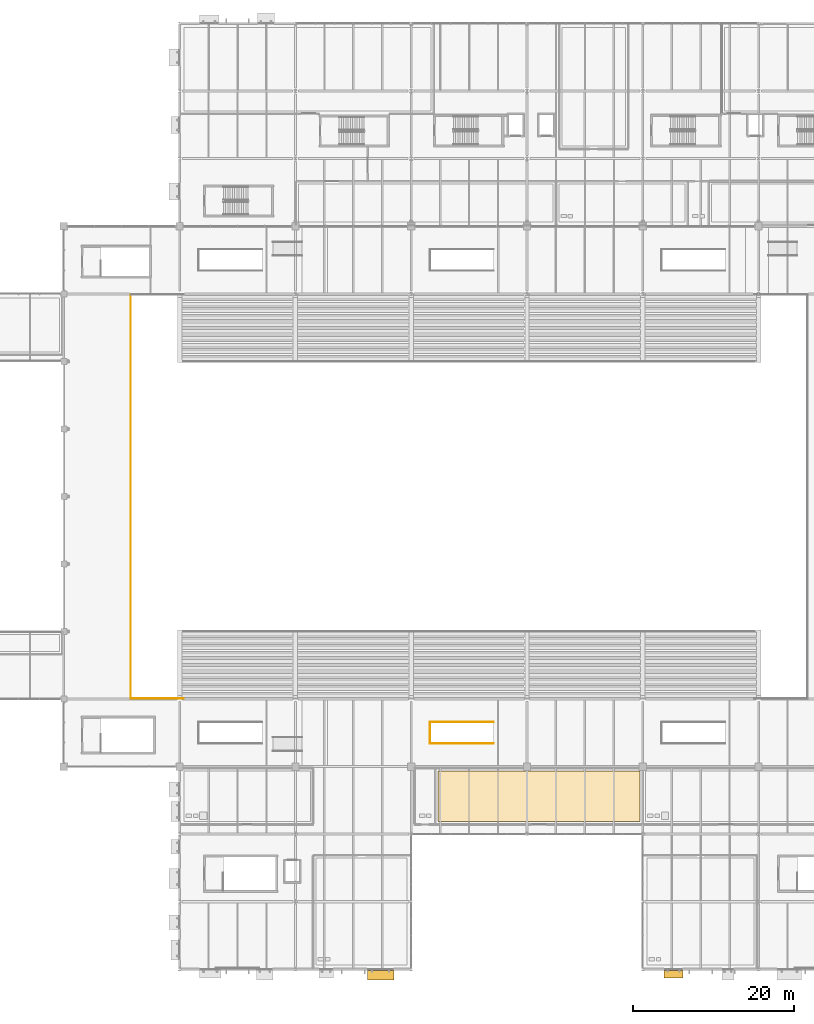
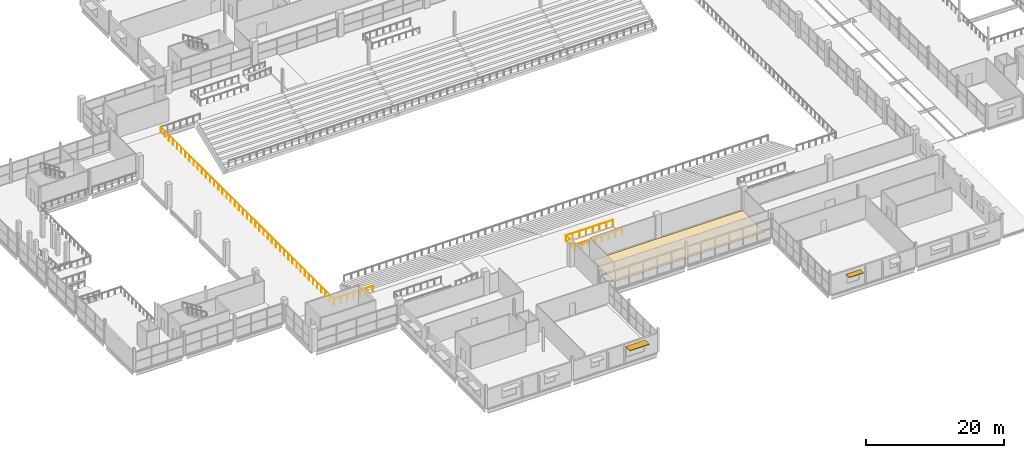
# One storey, part 150 of 161: 5 railings, 2 shading devices, 1 covering.
"""IFC4 building model written with IfcOpenShell, lengths in metres."""

from ifc_helpers import new_model, si_unit, direction, frame, origin, origin_2d, place, context, subcontext, project, spatial, polyline, rectangle, circle, outline, extrude, material, layer, layer_set, type_object, element, save


model = new_model("IFC4")

# Units and contexts
model_context = context("Model", 3, precision=1e-05, world=origin(), true_north=direction((0.0, 1.0)))
body_context = subcontext(model_context, "Body", "Model", "MODEL_VIEW")
ifc_project = project(units=[si_unit("LENGTHUNIT", "METRE"), si_unit("AREAUNIT", "SQUARE_METRE"), si_unit("VOLUMEUNIT", "CUBIC_METRE"), si_unit("PLANEANGLEUNIT", "RADIAN"), si_unit("MASSUNIT", "GRAM", prefix="KILO"), si_unit("THERMODYNAMICTEMPERATUREUNIT", "KELVIN")], contexts=[model_context])

# Site, building, storey
site_placement = place(None, origin())
site = spatial("IfcSite", under=ifc_project, at=site_placement, CompositionType="ELEMENT")
building_placement = place(site_placement, origin())
building = spatial("IfcBuilding", under=site, at=building_placement, Name="Nduvali Passage Aquatics Centre", CompositionType="ELEMENT")
storey_placement = place(building_placement, frame((0.0, 0.0, 4.800048828125)))
storey = spatial("IfcBuildingStorey", under=building, at=storey_placement, Name="L01", CompositionType="ELEMENT", Elevation=4.800048828125)

# Shading devices
ifc_material_1 = material(Name="Aluminium EN AW-6063 T6", Category="aluminium")
ifc_layer_1 = layer(ifc_material_1, 0.090087890625, Name="Aluminium EN AW-6063 T6")
ifc_layer_set_1 = layer_set([ifc_layer_1], Name="Aluminium EN AW-6063 T6")
shading_device_type_1 = type_object("IfcShadingDeviceType", Name="ENV-SHD-SUN1", PredefinedType="AWNING", material=ifc_layer_set_1)
shading_device_1_placement = place(storey_placement, frame((64.583984375, -0.72998046875, 2.7548828125), z_axis=(0.0, 0.0, 1.0), x_axis=(1.0, 0.0, 0.0)))
element("IfcShadingDevice", 1, at=shading_device_1_placement, inside=storey, type_object=shading_device_type_1, Name="L01 Horizontal Monsoon Sunshade 0029", PredefinedType="AWNING", context=body_context, shape_type="SweptSolid", body=[
    extrude(rectangle(XDim=3.300048828125, YDim=1.199951171875, at=origin_2d()), origin(), (0.0, 0.0, 1.0), 0.090087890625),
])
ifc_layer_2 = layer(ifc_material_1, 0.080078125, Name="Aluminium EN AW-6063 T6")
ifc_layer_set_2 = layer_set([ifc_layer_2], Name="Aluminium EN AW-6063 T6")
shading_device_type_2 = type_object("IfcShadingDeviceType", Name="ENV-SHD-SUN2", PredefinedType="AWNING", material=ifc_layer_set_2)
shading_device_2_placement = place(storey_placement, frame((101.01611328125, -0.60498046875, 2.659912109375), z_axis=(0.0, 0.0, 1.0), x_axis=(1.0, 0.0, 0.0)))
element("IfcShadingDevice", 2, at=shading_device_2_placement, inside=storey, type_object=shading_device_type_2, Name="L01 Horizontal Monsoon Sunshade 0032", PredefinedType="AWNING", context=body_context, shape_type="SweptSolid", body=[
    extrude(rectangle(XDim=2.39990234375, YDim=0.949951171875, at=origin_2d()), origin(), (0.0, 0.0, 1.0), 0.080078125),
])

# Covering
ifc_material_2 = material(Name="Polished coral-aggregate terrazzo")
ifc_layer_3 = layer(ifc_material_2, 0.030029296875, Name="Polished coral-aggregate terrazzo")
ifc_layer_set_3 = layer_set([ifc_layer_3], Name="Polished coral-aggregate terrazzo")
covering_type = type_object("IfcCoveringType", Name="INT-COV-TERRAZZO", PredefinedType="FLOORING", material=ifc_layer_set_3)
covering_placement = place(storey_placement, origin())
element("IfcCovering", 3, at=covering_placement, inside=storey, type_object=covering_type, Name="L01 Spectator Refreshment Kiosk and Pantry Floor Finish", PredefinedType="FLOORING", context=body_context, shape_type="SweptSolid", body=[
    extrude(outline(polyline([(71.75, 18.35009765625), (96.85009765625, 18.35009765625), (96.85009765625, 24.68994140625), (71.75, 24.68994140625), (71.75, 18.35009765625)])), origin(), (0.0, 0.0, 1.0), 0.030029296875),
])

# Railings
ifc_material_3 = material(Name="Stainless steel balustrade", Category="steel")
railing_type = type_object("IfcRailingType", Name="INT-RLG-GRD110", PredefinedType="GUARDRAIL", material=ifc_material_3)
railing_1_placement = place(storey_placement, frame((70.739990234375, 28.125, 0.0)))
element("IfcRailing", 4, at=railing_1_placement, inside=storey, type_object=railing_type, Name="L01 Vomitory VST2 Well West Guardrail", PredefinedType="GUARDRAIL", context=body_context, shape_type="SweptSolid", body=[
    extrude(circle(Radius=0.02392578125, at=origin_2d()), frame((0.0, 0.0, 1.076171875), z_axis=(0.0, 1.0, 0.0), x_axis=(-1.0, 0.0, 0.0)), (0.0, 0.0, 1.0), 2.550048828125),
    extrude(circle(Radius=0.02099609375, at=origin_2d()), origin(), (0.0, 0.0, 1.0), 1.052001953125),
    extrude(circle(Radius=0.02099609375, at=origin_2d()), frame((0.0, 0.85009765625, 0.0)), (0.0, 0.0, 1.0), 1.052001953125),
    extrude(circle(Radius=0.02099609375, at=origin_2d()), frame((0.0, 1.699951171875, 0.0)), (0.0, 0.0, 1.0), 1.052001953125),
    extrude(circle(Radius=0.02099609375, at=origin_2d()), frame((0.0, 2.550048828125, 0.0)), (0.0, 0.0, 1.0), 1.052001953125),
])
for number, where, name in (
    (5, (70.739990234375, 28.06494140625, 0.0), "L01 Vomitory VST2 Well S Guardrail"),
    (6, (70.739990234375, 30.735107421875, 0.0), "L01 Vomitory VST2 Well N Guardrail"),
):
    element("IfcRailing", number, at=place(storey_placement, frame(where)), inside=storey, type_object=railing_type, Name=name, PredefinedType="GUARDRAIL", context=body_context, shape_type="SweptSolid", body=[
        extrude(circle(Radius=0.02392578125, at=origin_2d()), frame((0.0, 0.0, 1.076171875), z_axis=(1.0, 0.0, 0.0), x_axis=(0.0, 1.0, 0.0)), (0.0, 0.0, 1.0), 7.889892578125),
        extrude(circle(Radius=0.02099609375, at=origin_2d()), origin(), (0.0, 0.0, 1.0), 1.052001953125),
        extrude(circle(Radius=0.02099609375, at=origin_2d()), frame((1.127197265625, 0.0, 0.0)), (0.0, 0.0, 1.0), 1.052001953125),
        extrude(circle(Radius=0.02099609375, at=origin_2d()), frame((2.254150390625, 0.0, 0.0)), (0.0, 0.0, 1.0), 1.052001953125),
        extrude(circle(Radius=0.02099609375, at=origin_2d()), frame((3.38134765625, 0.0, 0.0)), (0.0, 0.0, 1.0), 1.052001953125),
        extrude(circle(Radius=0.02099609375, at=origin_2d()), frame((4.508544921875, 0.0, 0.0)), (0.0, 0.0, 1.0), 1.052001953125),
        extrude(circle(Radius=0.02099609375, at=origin_2d()), frame((5.6357421875, 0.0, 0.0)), (0.0, 0.0, 1.0), 1.052001953125),
        extrude(circle(Radius=0.02099609375, at=origin_2d()), frame((6.7626953125, 0.0, 0.0)), (0.0, 0.0, 1.0), 1.052001953125),
        extrude(circle(Radius=0.02099609375, at=origin_2d()), frame((7.889892578125, 0.0, 0.0)), (0.0, 0.0, 1.0), 1.052001953125),
    ])
railing_2_placement = place(storey_placement, frame((33.60009765625, 33.679931640625, 0.0)))
element("IfcRailing", 7, at=railing_2_placement, inside=storey, type_object=railing_type, Name="L01 South Concourse West Void Guard", PredefinedType="GUARDRAIL", context=body_context, shape_type="SweptSolid", body=[
    extrude(circle(Radius=0.02392578125, at=origin_2d()), frame((0.0, 0.0, 1.076171875), z_axis=(1.0, 0.0, 0.0), x_axis=(0.0, 1.0, 0.0)), (0.0, 0.0, 1.0), 6.5),
    extrude(circle(Radius=0.02099609375, at=origin_2d()), origin(), (0.0, 0.0, 1.0), 1.052001953125),
    extrude(circle(Radius=0.02099609375, at=origin_2d()), frame((1.083251953125, 0.0, 0.0)), (0.0, 0.0, 1.0), 1.052001953125),
    extrude(circle(Radius=0.02099609375, at=origin_2d()), frame((2.166748046875, 0.0, 0.0)), (0.0, 0.0, 1.0), 1.052001953125),
    extrude(circle(Radius=0.02099609375, at=origin_2d()), frame((3.25, 0.0, 0.0)), (0.0, 0.0, 1.0), 1.052001953125),
    extrude(circle(Radius=0.02099609375, at=origin_2d()), frame((4.333251953125, 0.0, 0.0)), (0.0, 0.0, 1.0), 1.052001953125),
    extrude(circle(Radius=0.02099609375, at=origin_2d()), frame((5.416748046875, 0.0, 0.0)), (0.0, 0.0, 1.0), 1.052001953125),
    extrude(circle(Radius=0.02099609375, at=origin_2d()), frame((6.5, 0.0, 0.0)), (0.0, 0.0, 1.0), 1.052001953125),
])
railing_3_placement = place(storey_placement, frame((33.52001953125, 33.679931640625, 0.0)))
element("IfcRailing", 8, at=railing_3_placement, inside=storey, type_object=railing_type, Name="L01 West Pool Overlook Gallery Balustrade", PredefinedType="GUARDRAIL", context=body_context, shape_type="SweptSolid", body=[
    extrude(circle(Radius=0.02392578125, at=origin_2d()), frame((0.0, 0.0, 1.076171875), z_axis=(0.0, 1.0, 0.0), x_axis=(-1.0, 0.0, 0.0)), (0.0, 0.0, 1.0), 50.239990234375),
    extrude(circle(Radius=0.02099609375, at=origin_2d()), origin(), (0.0, 0.0, 1.0), 1.052001953125),
    extrude(circle(Radius=0.02099609375, at=origin_2d()), frame((0.0, 1.1962890625, 0.0)), (0.0, 0.0, 1.0), 1.052001953125),
    extrude(circle(Radius=0.02099609375, at=origin_2d()), frame((0.0, 2.392333984375, 0.0)), (0.0, 0.0, 1.0), 1.052001953125),
    extrude(circle(Radius=0.02099609375, at=origin_2d()), frame((0.0, 3.588623046875, 0.0)), (0.0, 0.0, 1.0), 1.052001953125),
    extrude(circle(Radius=0.02099609375, at=origin_2d()), frame((0.0, 4.78466796875, 0.0)), (0.0, 0.0, 1.0), 1.052001953125),
    extrude(circle(Radius=0.02099609375, at=origin_2d()), frame((0.0, 5.98095703125, 0.0)), (0.0, 0.0, 1.0), 1.052001953125),
    extrude(circle(Radius=0.02099609375, at=origin_2d()), frame((0.0, 7.17724609375, 0.0)), (0.0, 0.0, 1.0), 1.052001953125),
    extrude(circle(Radius=0.02099609375, at=origin_2d()), frame((0.0, 8.373291015625, 0.0)), (0.0, 0.0, 1.0), 1.052001953125),
    extrude(circle(Radius=0.02099609375, at=origin_2d()), frame((0.0, 9.569580078125, 0.0)), (0.0, 0.0, 1.0), 1.052001953125),
    extrude(circle(Radius=0.02099609375, at=origin_2d()), frame((0.0, 10.765625, 0.0)), (0.0, 0.0, 1.0), 1.052001953125),
    extrude(circle(Radius=0.02099609375, at=origin_2d()), frame((0.0, 11.9619140625, 0.0)), (0.0, 0.0, 1.0), 1.052001953125),
    extrude(circle(Radius=0.02099609375, at=origin_2d()), frame((0.0, 13.158203125, 0.0)), (0.0, 0.0, 1.0), 1.052001953125),
    extrude(circle(Radius=0.02099609375, at=origin_2d()), frame((0.0, 14.354248046875, 0.0)), (0.0, 0.0, 1.0), 1.052001953125),
    extrude(circle(Radius=0.02099609375, at=origin_2d()), frame((0.0, 15.550537109375, 0.0)), (0.0, 0.0, 1.0), 1.052001953125),
    extrude(circle(Radius=0.02099609375, at=origin_2d()), frame((0.0, 16.74658203125, 0.0)), (0.0, 0.0, 1.0), 1.052001953125),
    extrude(circle(Radius=0.02099609375, at=origin_2d()), frame((0.0, 17.94287109375, 0.0)), (0.0, 0.0, 1.0), 1.052001953125),
    extrude(circle(Radius=0.02099609375, at=origin_2d()), frame((0.0, 19.13916015625, 0.0)), (0.0, 0.0, 1.0), 1.052001953125),
    extrude(circle(Radius=0.02099609375, at=origin_2d()), frame((0.0, 20.335205078125, 0.0)), (0.0, 0.0, 1.0), 1.052001953125),
    extrude(circle(Radius=0.02099609375, at=origin_2d()), frame((0.0, 21.531494140625, 0.0)), (0.0, 0.0, 1.0), 1.052001953125),
    extrude(circle(Radius=0.02099609375, at=origin_2d()), frame((0.0, 22.7275390625, 0.0)), (0.0, 0.0, 1.0), 1.052001953125),
    extrude(circle(Radius=0.02099609375, at=origin_2d()), frame((0.0, 23.923828125, 0.0)), (0.0, 0.0, 1.0), 1.052001953125),
    extrude(circle(Radius=0.02099609375, at=origin_2d()), frame((0.0, 25.1201171875, 0.0)), (0.0, 0.0, 1.0), 1.052001953125),
    extrude(circle(Radius=0.02099609375, at=origin_2d()), frame((0.0, 26.316162109375, 0.0)), (0.0, 0.0, 1.0), 1.052001953125),
    extrude(circle(Radius=0.02099609375, at=origin_2d()), frame((0.0, 27.512451171875, 0.0)), (0.0, 0.0, 1.0), 1.052001953125),
    extrude(circle(Radius=0.02099609375, at=origin_2d()), frame((0.0, 28.70849609375, 0.0)), (0.0, 0.0, 1.0), 1.052001953125),
    extrude(circle(Radius=0.02099609375, at=origin_2d()), frame((0.0, 29.90478515625, 0.0)), (0.0, 0.0, 1.0), 1.052001953125),
    extrude(circle(Radius=0.02099609375, at=origin_2d()), frame((0.0, 31.100830078125, 0.0)), (0.0, 0.0, 1.0), 1.052001953125),
    extrude(circle(Radius=0.02099609375, at=origin_2d()), frame((0.0, 32.297119140625, 0.0)), (0.0, 0.0, 1.0), 1.052001953125),
    extrude(circle(Radius=0.02099609375, at=origin_2d()), frame((0.0, 33.493408203125, 0.0)), (0.0, 0.0, 1.0), 1.052001953125),
    extrude(circle(Radius=0.02099609375, at=origin_2d()), frame((0.0, 34.689453125, 0.0)), (0.0, 0.0, 1.0), 1.052001953125),
    extrude(circle(Radius=0.02099609375, at=origin_2d()), frame((0.0, 35.8857421875, 0.0)), (0.0, 0.0, 1.0), 1.052001953125),
    extrude(circle(Radius=0.02099609375, at=origin_2d()), frame((0.0, 37.081787109375, 0.0)), (0.0, 0.0, 1.0), 1.052001953125),
    extrude(circle(Radius=0.02099609375, at=origin_2d()), frame((0.0, 38.278076171875, 0.0)), (0.0, 0.0, 1.0), 1.052001953125),
    extrude(circle(Radius=0.02099609375, at=origin_2d()), frame((0.0, 39.474365234375, 0.0)), (0.0, 0.0, 1.0), 1.052001953125),
    extrude(circle(Radius=0.02099609375, at=origin_2d()), frame((0.0, 40.67041015625, 0.0)), (0.0, 0.0, 1.0), 1.052001953125),
    extrude(circle(Radius=0.02099609375, at=origin_2d()), frame((0.0, 41.86669921875, 0.0)), (0.0, 0.0, 1.0), 1.052001953125),
    extrude(circle(Radius=0.02099609375, at=origin_2d()), frame((0.0, 43.062744140625, 0.0)), (0.0, 0.0, 1.0), 1.052001953125),
    extrude(circle(Radius=0.02099609375, at=origin_2d()), frame((0.0, 44.259033203125, 0.0)), (0.0, 0.0, 1.0), 1.052001953125),
    extrude(circle(Radius=0.02099609375, at=origin_2d()), frame((0.0, 45.455322265625, 0.0)), (0.0, 0.0, 1.0), 1.052001953125),
    extrude(circle(Radius=0.02099609375, at=origin_2d()), frame((0.0, 46.6513671875, 0.0)), (0.0, 0.0, 1.0), 1.052001953125),
    extrude(circle(Radius=0.02099609375, at=origin_2d()), frame((0.0, 47.84765625, 0.0)), (0.0, 0.0, 1.0), 1.052001953125),
    extrude(circle(Radius=0.02099609375, at=origin_2d()), frame((0.0, 49.043701171875, 0.0)), (0.0, 0.0, 1.0), 1.052001953125),
    extrude(circle(Radius=0.02099609375, at=origin_2d()), frame((0.0, 50.239990234375, 0.0)), (0.0, 0.0, 1.0), 1.052001953125),
])

save(model, "model.ifc")
